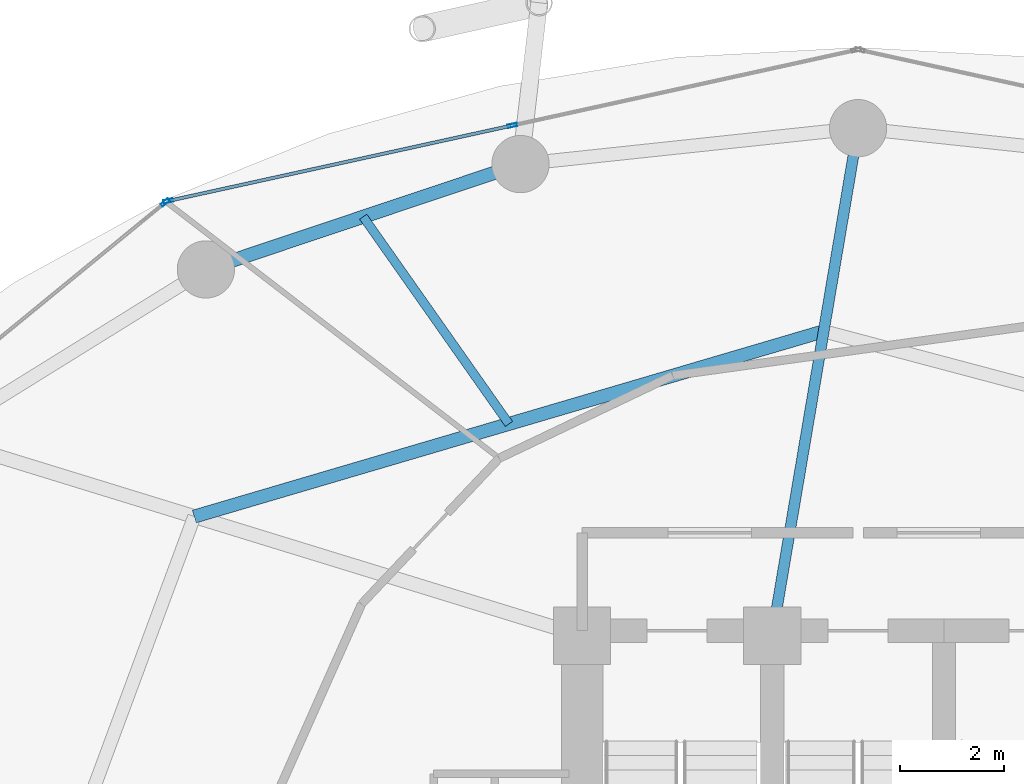
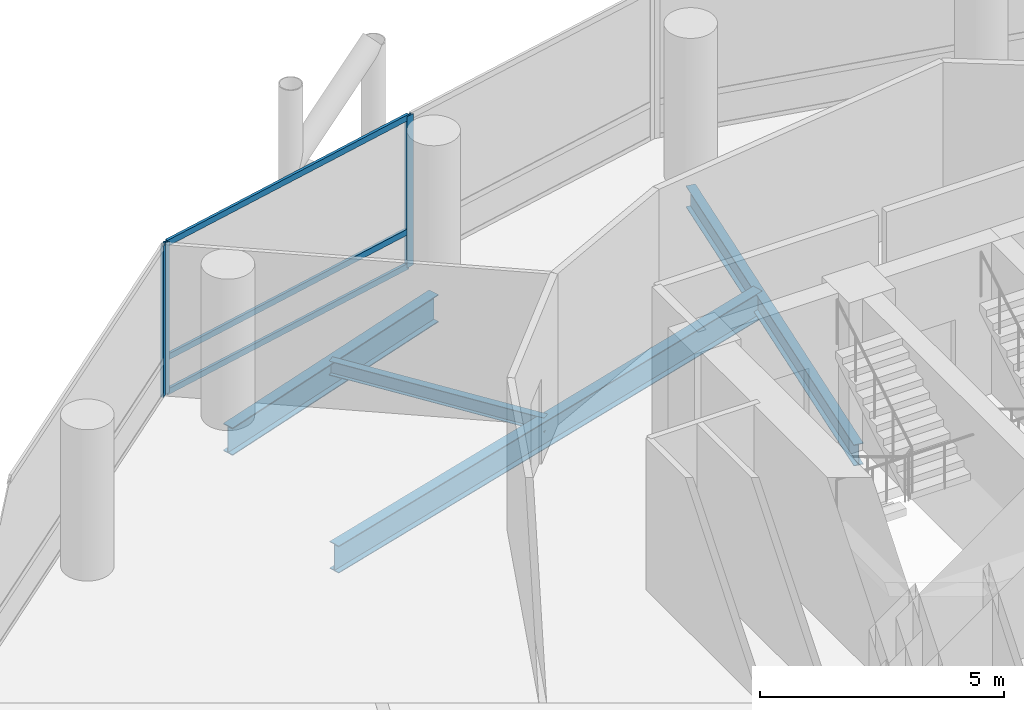
# One storey, part 15 of 24: 6 members, 4 beams, 2 elements without a shape of their own.
"""IFC4 building model written with IfcOpenShell, lengths in metres."""

from ifc_helpers import new_model, si_unit, direction, frame, origin, origin_2d, place, context, subcontext, project, spatial, hollow_rectangle, i_section, extrude, material, layer, layer_set, material_profile, profile_set, type_object, element, aggregate, save


model = new_model("IFC4")

# Units and contexts
model_context = context("Model", 3, precision=1e-05, world=origin(), true_north=direction((0.0, 1.0)))
body_context = subcontext(model_context, "Body", "Model", "MODEL_VIEW")
ifc_project = project(units=[si_unit("LENGTHUNIT", "METRE"), si_unit("AREAUNIT", "SQUARE_METRE"), si_unit("VOLUMEUNIT", "CUBIC_METRE"), si_unit("PLANEANGLEUNIT", "RADIAN"), si_unit("MASSUNIT", "GRAM", prefix="KILO")], contexts=[model_context])

# Site, building, storey
site_placement = place(None, origin())
site = spatial("IfcSite", under=ifc_project, at=site_placement, CompositionType="ELEMENT")
building_placement = place(site_placement, origin())
building = spatial("IfcBuilding", under=site, at=building_placement, Name="Nuhasar Tower", CompositionType="ELEMENT")
storey_placement = place(building_placement, frame((0.0, 0.0, 37.199951171875)))
storey = spatial("IfcBuildingStorey", under=building, at=storey_placement, Name="L08", CompositionType="ELEMENT", Elevation=37.199951171875)

# Beams
ifc_material_1 = material(Name="Steel S355", Category="steel")
ifc_material_profile_1 = material_profile(ifc_material_1, i_section(OverallWidth=0.25390625, OverallDepth=0.68408203125, WebThickness=0.012451171875, FlangeThickness=0.018798828125, at=origin_2d()), Name="W27X94")
ifc_profile_set_1 = profile_set([ifc_material_profile_1], Name="Steel S355")
beam_type_1 = type_object("IfcBeamType", Name="BM-INRING-W27X94", PredefinedType="BEAM", material=ifc_profile_set_1)
beam_1_placement = place(storey_placement, frame((38.340087890625, 43.14990234375, -0.60205078125), z_axis=(-0.959290190666, -0.28242225495, 0.0), x_axis=(0.28242225495, -0.959290190666, 0.0)))
element("IfcBeam", 1, at=beam_1_placement, inside=storey, type_object=beam_type_1, Name="L08 Inner Header Beam 06", PredefinedType="BEAM", context=body_context, shape_type="SweptSolid", body=[
    extrude(i_section(OverallWidth=0.25390625, OverallDepth=0.68408203125, WebThickness=0.012451171875, FlangeThickness=0.018798828125, at=origin_2d()), origin(), (0.0, 0.0, 1.0), 12.60107421875),
])
ifc_material_profile_2 = material_profile(ifc_material_1, i_section(OverallWidth=0.1708984375, OverallDepth=0.35205078125, WebThickness=0.0068359375, FlangeThickness=0.009765625, at=origin_2d()), Name="W14X30")
ifc_profile_set_2 = profile_set([ifc_material_profile_2], Name="Steel S355")
beam_type_2 = type_object("IfcBeamType", Name="BM-JST-W14X30", PredefinedType="JOIST", material=ifc_profile_set_2)
beam_2_placement = place(storey_placement, frame((32.2958984375, 41.3701171875, -0.43603515625), z_axis=(-0.575461088141, 0.817829160666, 0.0), x_axis=(-0.817829160666, -0.575461088141, 0.0)))
element("IfcBeam", 2, at=beam_2_placement, inside=storey, type_object=beam_type_2, Name="L08 Secondary Floor Joist 06", PredefinedType="JOIST", context=body_context, shape_type="SweptSolid", body=[
    extrude(i_section(OverallWidth=0.1708984375, OverallDepth=0.35205078125, WebThickness=0.0068359375, FlangeThickness=0.009765625, at=origin_2d()), origin(), (0.0, 0.0, 1.0), 4.865234375),
])
ifc_material_profile_3 = material_profile(ifc_material_1, i_section(OverallWidth=0.208984375, OverallDepth=0.532958984375, WebThickness=0.01025390625, FlangeThickness=0.015625, at=origin_2d()), Name="W21X62")
ifc_profile_set_3 = profile_set([ifc_material_profile_3], Name="Steel S355")
beam_type_3 = type_object("IfcBeamType", Name="BM-RAD-W21X62", PredefinedType="BEAM", material=ifc_profile_set_3)
beam_3_placement = place(storey_placement, frame((37.35009765625, 37.300048828125, -0.52685546875), z_axis=(0.166848703013, 0.98598251014, 0.0), x_axis=(-0.98598251014, 0.166848703013, 0.0)))
element("IfcBeam", 3, at=beam_3_placement, inside=storey, type_object=beam_type_3, Name="L08 Radial Floor Girder 06", PredefinedType="BEAM", context=body_context, shape_type="SweptSolid", body=[
    extrude(i_section(OverallWidth=0.208984375, OverallDepth=0.532958984375, WebThickness=0.01025390625, FlangeThickness=0.015625, at=origin_2d()), origin(), (0.0, 0.0, 1.0), 9.888671875),
])
ifc_material_profile_4 = material_profile(ifc_material_1, i_section(OverallWidth=0.256103515625, OverallDepth=0.693115234375, WebThickness=0.014404296875, FlangeThickness=0.023681640625, at=origin_2d()), Name="W27X114")
ifc_profile_set_4 = profile_set([ifc_material_profile_4], Name="Steel S355")
beam_type_4 = type_object("IfcBeamType", Name="BM-RING-W27X114", PredefinedType="SPANDREL", material=ifc_profile_set_4)
beam_4_placement = place(storey_placement, frame((32.51708984375, 46.360107421875, -0.60693359375), z_axis=(-0.948249435708, -0.317526388949, 0.0), x_axis=(0.317526388949, -0.948249435708, 0.0)))
element("IfcBeam", 4, at=beam_4_placement, inside=storey, type_object=beam_type_4, Name="L08 Perimeter Ring Spandrel 08", PredefinedType="SPANDREL", context=body_context, shape_type="SweptSolid", body=[
    extrude(i_section(OverallWidth=0.256103515625, OverallDepth=0.693115234375, WebThickness=0.014404296875, FlangeThickness=0.023681640625, at=origin_2d()), origin(), (0.0, 0.0, 1.0), 6.371826171875),
])

# Curtain wall, members
ifc_material_2 = material(Name="Aluminium 6063-T6", Category="aluminium")
ifc_layer = layer(ifc_material_2, 0.199951171875)
ifc_layer_set = layer_set([ifc_layer], Name="Aluminium 6063-T6")
curtain_wall_type = type_object("IfcCurtainWallType", Name="CW-Z1-OFF", PredefinedType="NOTDEFINED", material=ifc_layer_set)
curtain_wall_1_placement = place(storey_placement, origin())
curtain_wall_1 = element("IfcCurtainWall", 5, at=curtain_wall_1_placement, inside=storey, type_object=curtain_wall_type, Name="L08 Unitised Curtain Wall 04", PredefinedType="NOTDEFINED")
ifc_material_profile_5 = material_profile(ifc_material_2, hollow_rectangle(XDim=0.06494140625, YDim=0.179931640625, WallThickness=0.0048828125, at=origin_2d()), Name="CWM-2")
ifc_profile_set_5 = profile_set([ifc_material_profile_5], Name="Aluminium 6063-T6")
member_type_1 = type_object("IfcMemberType", Name="CW-MUL-S2", PredefinedType="MULLION", material=ifc_profile_set_5)
member_1_placement = place(storey_placement, frame((32.360107421875, 47.1025390625, 0.0), z_axis=(0.0, 0.0, 1.0), x_axis=(0.214398737637, -0.976746221544, 0.0)))
member_1 = element("IfcMember", 6, at=member_1_placement, type_object=member_type_1, Name="CW-Z1 mullion 2", PredefinedType="MULLION", context=body_context, shape_type="SweptSolid", body=[
    extrude(hollow_rectangle(XDim=0.06494140625, YDim=0.179931640625, WallThickness=0.0048828125, at=origin_2d()), origin(), (0.0, 0.0, 1.0), 3.7900390625),
])
member_2_placement = place(storey_placement, frame((25.751708984375, 45.65185546875, 0.0), z_axis=(0.0, 0.0, 1.0), x_axis=(0.214398737637, -0.976746221544, 0.0)))
member_2 = element("IfcMember", 7, at=member_2_placement, type_object=member_type_1, Name="CW-Z1 mullion 3", PredefinedType="MULLION", context=body_context, shape_type="SweptSolid", body=[
    extrude(hollow_rectangle(XDim=0.06494140625, YDim=0.179931640625, WallThickness=0.0048828125, at=origin_2d()), origin(), (0.0, 0.0, 1.0), 3.7900390625),
])

# Curtain wall, member
curtain_wall_2_placement = place(storey_placement, origin())
curtain_wall_2 = element("IfcCurtainWall", 8, at=curtain_wall_2_placement, inside=storey, type_object=curtain_wall_type, Name="L08 Unitised Curtain Wall 05", PredefinedType="NOTDEFINED")
member_3_placement = place(storey_placement, frame((25.69482421875, 45.62451171875, 0.0), z_axis=(0.0, 0.0, 1.0), x_axis=(0.633744593376, -0.773542364946, 0.0)))
member_3 = element("IfcMember", 9, at=member_3_placement, type_object=member_type_1, Name="CW-Z1 mullion 1", PredefinedType="MULLION", context=body_context, shape_type="SweptSolid", body=[
    extrude(hollow_rectangle(XDim=0.06494140625, YDim=0.179931640625, WallThickness=0.0048828125, at=origin_2d()), origin(), (0.0, 0.0, 1.0), 3.7900390625),
])
aggregate(curtain_wall_2, [member_3])

# Member
ifc_material_profile_6 = material_profile(ifc_material_2, hollow_rectangle(XDim=0.06494140625, YDim=0.14990234375, WallThickness=0.00439453125, at=origin_2d()), Name="CWT-2")
ifc_profile_set_6 = profile_set([ifc_material_profile_6], Name="Aluminium 6063-T6")
member_type_2 = type_object("IfcMemberType", Name="CW-TRN-S2", PredefinedType="USERDEFINED", material=ifc_profile_set_6)
member_4_placement = place(storey_placement, frame((32.328369140625, 47.095458984375, 0.032470703125), z_axis=(-0.976749553792, -0.214383556196, 0.0), x_axis=(0.214383556196, -0.976749553792, 0.0)))
member_4 = element("IfcMember", 10, at=member_4_placement, type_object=member_type_2, Name="CW-Z1 transom 2.1", ObjectType="TRANSOM", PredefinedType="USERDEFINED", context=body_context, shape_type="SweptSolid", body=[
    extrude(hollow_rectangle(XDim=0.06494140625, YDim=0.14990234375, WallThickness=0.00439453125, at=origin_2d()), origin(), (0.0, 0.0, 1.0), 6.70068359375),
])

member_5_placement = place(storey_placement, frame((32.328369140625, 47.095458984375, 0.900146484375), z_axis=(-0.976749553792, -0.214383556196, 0.0), x_axis=(0.214383556196, -0.976749553792, 0.0)))
member_5 = element("IfcMember", 11, at=member_5_placement, type_object=member_type_2, Name="CW-Z1 transom 2.2", ObjectType="TRANSOM", PredefinedType="USERDEFINED", context=body_context, shape_type="SweptSolid", body=[
    extrude(hollow_rectangle(XDim=0.06494140625, YDim=0.14990234375, WallThickness=0.00439453125, at=origin_2d()), origin(), (0.0, 0.0, 1.0), 6.70068359375),
])

member_6_placement = place(storey_placement, frame((32.328369140625, 47.095458984375, 3.757568359375), z_axis=(-0.976749553792, -0.214383556196, 0.0), x_axis=(0.214383556196, -0.976749553792, 0.0)))
member_6 = element("IfcMember", 12, at=member_6_placement, type_object=member_type_2, Name="CW-Z1 transom 2.3", ObjectType="TRANSOM", PredefinedType="USERDEFINED", context=body_context, shape_type="SweptSolid", body=[
    extrude(hollow_rectangle(XDim=0.06494140625, YDim=0.14990234375, WallThickness=0.00439453125, at=origin_2d()), origin(), (0.0, 0.0, 1.0), 6.70068359375),
])

aggregate(curtain_wall_1, [member_1, member_2, member_4, member_5, member_6])

save(model, "model.ifc")
